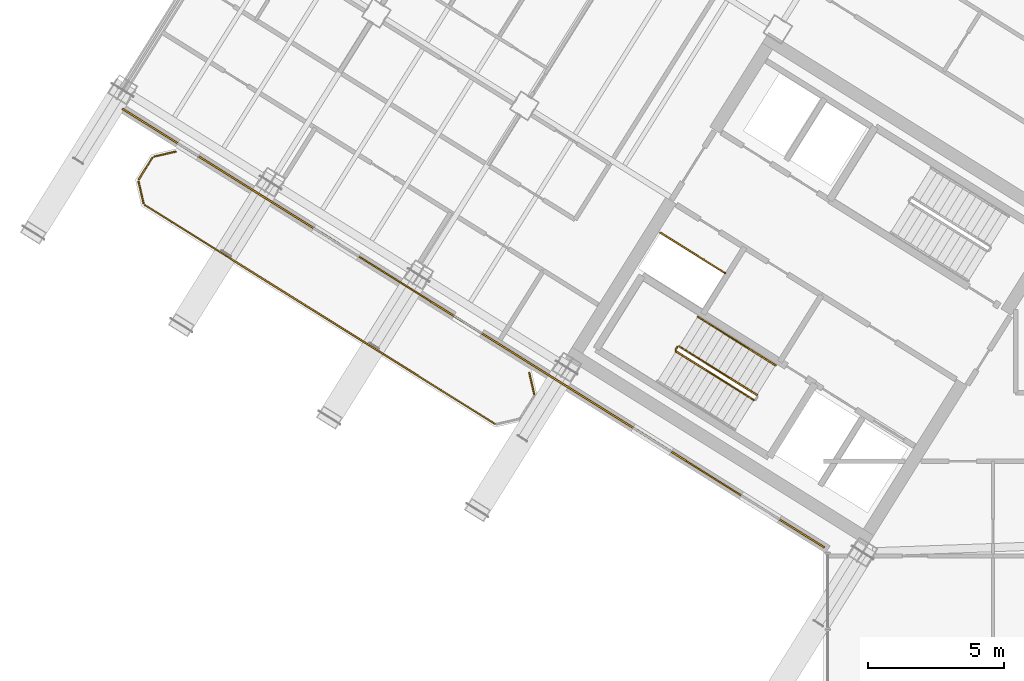
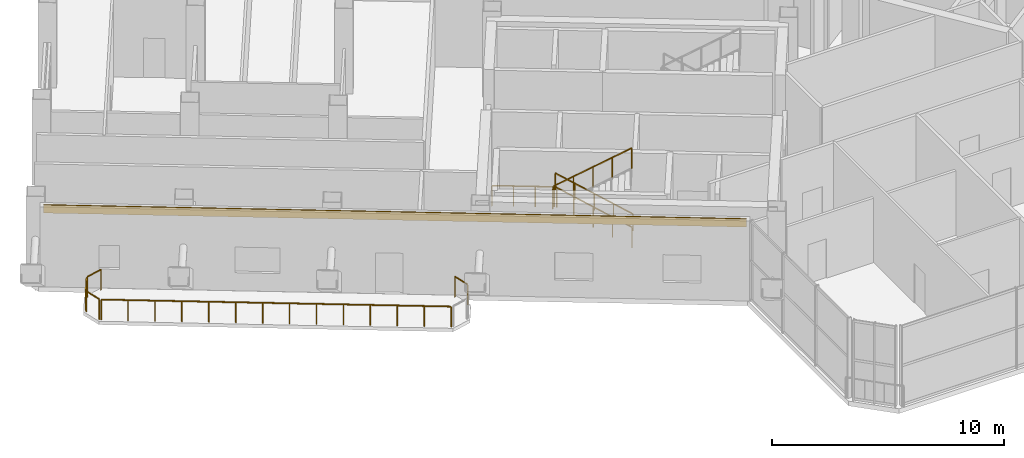
# One storey, part 29 of 34: 11 railings, 1 covering.
"""IFC4 building model written with IfcOpenShell, lengths in metres."""

from ifc_helpers import new_model, si_unit, direction, frame, origin, origin_2d, place, context, subcontext, project, spatial, rectangle, extrude, source, transform, mapped, material, layer, layer_set, type_object, element, save


model = new_model("IFC4")

# Units and contexts
model_context = context("Model", 3, precision=1e-05, world=origin(), true_north=direction((0.0, 1.0)))
body_context = subcontext(model_context, "Body", "Model", "MODEL_VIEW")
ifc_project = project(units=[si_unit("LENGTHUNIT", "METRE"), si_unit("AREAUNIT", "SQUARE_METRE"), si_unit("VOLUMEUNIT", "CUBIC_METRE"), si_unit("PLANEANGLEUNIT", "RADIAN"), si_unit("MASSUNIT", "GRAM", prefix="KILO")], contexts=[model_context])

# Site, building, storey
site_placement = place(None, origin())
site = spatial("IfcSite", under=ifc_project, at=site_placement, CompositionType="ELEMENT")
building_placement = place(site_placement, origin())
building = spatial("IfcBuilding", under=site, at=building_placement, Name="Tlacorven Tower", CompositionType="ELEMENT")
storey_placement = place(building_placement, frame((0.0, 0.0, 229.199951171875)))
storey = spatial("IfcBuildingStorey", under=building, at=storey_placement, Name="L58", CompositionType="ELEMENT", Elevation=229.199951171875)

# Railings
ifc_material_1 = material(Name="Aluminium and painted steel balustrade", Category="steel")
railing_type_1 = type_object("IfcRailingType", Name="RL-GRD-1100", PredefinedType="GUARDRAIL", material=ifc_material_1)
shared_shape_1 = source(origin(), body_context, "Body", "SweptSolid", [
    extrude(rectangle(XDim=0.048095703125, YDim=0.048095703125, at=origin_2d()), frame((0.0, 0.0, 1.076171875), z_axis=(-0.848091358275, 0.529850024081, 0.0), x_axis=(-0.529850024081, -0.848091358275, 0.0)), (0.0, 0.0, 1.0), 2.800048828125),
    extrude(rectangle(XDim=0.0419921875, YDim=0.0419921875, at=origin_2d()), origin(), (0.0, 0.0, 1.0), 1.052001953125),
    extrude(rectangle(XDim=0.0419921875, YDim=0.0419921875, at=origin_2d()), frame((-0.79150390625, 0.49462890625, 0.0)), (0.0, 0.0, 1.0), 1.052001953125),
    extrude(rectangle(XDim=0.0419921875, YDim=0.0419921875, at=origin_2d()), frame((-1.583251953125, 0.989013671875, 0.0)), (0.0, 0.0, 1.0), 1.052001953125),
    extrude(rectangle(XDim=0.0419921875, YDim=0.0419921875, at=origin_2d()), frame((-2.374755859375, 1.483642578125, 0.0)), (0.0, 0.0, 1.0), 1.052001953125),
])
railing_1_placement = place(storey_placement, frame((27.9912109375, 22.32080078125, 0.0)))
element("IfcRailing", 1, at=railing_1_placement, inside=storey, type_object=railing_type_1, Name="L58 Electrical Riser W Shaft Guard 1", PredefinedType="GUARDRAIL", context=body_context, shape_type="MappedRepresentation", body=[
    mapped(shared_shape_1, transform((0.0, 0.0, 0.0), scale=1.0)),
])
railing_type_2 = type_object("IfcRailingType", Name="RL-BAL-1100", PredefinedType="BALUSTRADE", material=ifc_material_1)
shared_shape_2 = source(origin(), body_context, "Body", "SweptSolid", [
    extrude(rectangle(XDim=0.048095703125, YDim=0.048095703125, at=origin_2d()), frame((0.0, 0.0, 1.076171875), z_axis=(0.225058334816, -0.974345290916, 0.0), x_axis=(0.974345290916, 0.225058334816, 0.0)), (0.0, 0.0, 1.0), 0.80712890625),
    extrude(rectangle(XDim=0.0419921875, YDim=0.0419921875, at=origin_2d()), origin(), (0.0, 0.0, 1.0), 1.052001953125),
    extrude(rectangle(XDim=0.0419921875, YDim=0.0419921875, at=origin_2d()), frame((0.181640625, -0.786376953125, 0.0)), (0.0, 0.0, 1.0), 1.052001953125),
])
railing_2_placement = place(storey_placement, frame((20.809814453125, 18.671142578125, 0.0)))
element("IfcRailing", 2, at=railing_2_placement, inside=storey, type_object=railing_type_2, Name="BAL-L58-W-OUT Guard Railing 1", PredefinedType="BALUSTRADE", context=body_context, shape_type="MappedRepresentation", body=[
    mapped(shared_shape_2, transform((0.0, 0.0, 0.0), scale=1.0)),
])
shared_shape_3 = source(origin(), body_context, "Body", "SweptSolid", [
    extrude(rectangle(XDim=0.048095703125, YDim=0.048095703125, at=origin_2d()), frame((0.0, 0.0, 1.076171875), z_axis=(-0.225058334816, 0.974345290916, 0.0), x_axis=(-0.974345290916, -0.225058334816, 0.0)), (0.0, 0.0, 1.0), 0.80712890625),
    extrude(rectangle(XDim=0.0419921875, YDim=0.0419921875, at=origin_2d()), origin(), (0.0, 0.0, 1.0), 1.052001953125),
    extrude(rectangle(XDim=0.0419921875, YDim=0.0419921875, at=origin_2d()), frame((-0.181640625, 0.786376953125, 0.0)), (0.0, 0.0, 1.0), 1.052001953125),
])
railing_3_placement = place(storey_placement, frame((6.66650390625, 24.88623046875, 0.0)))
element("IfcRailing", 3, at=railing_3_placement, inside=storey, type_object=railing_type_2, Name="BAL-L58-W-OUT Guard Railing 5", PredefinedType="BALUSTRADE", context=body_context, shape_type="MappedRepresentation", body=[
    mapped(shared_shape_3, transform((0.0, 0.0, 0.0), scale=1.0)),
])
shared_shape_4 = source(origin(), body_context, "Body", "SweptSolid", [
    extrude(rectangle(XDim=0.048095703125, YDim=0.048095703125, at=origin_2d()), frame((0.0, 0.0, 1.076171875), z_axis=(0.974411586182, 0.224771129628, 0.0), x_axis=(-0.224771129628, 0.974411586182, 0.0)), (0.0, 0.0, 1.0), 0.80712890625),
    extrude(rectangle(XDim=0.0419921875, YDim=0.0419921875, at=origin_2d()), origin(), (0.0, 0.0, 1.0), 1.052001953125),
    extrude(rectangle(XDim=0.0419921875, YDim=0.0419921875, at=origin_2d()), frame((0.786376953125, 0.181396484375, 0.0)), (0.0, 0.0, 1.0), 1.052001953125),
])
railing_4_placement = place(storey_placement, frame((7.05859375, 26.591064453125, 0.0)))
element("IfcRailing", 4, at=railing_4_placement, inside=storey, type_object=railing_type_2, Name="BAL-L58-W-OUT Guard Railing 7", PredefinedType="BALUSTRADE", context=body_context, shape_type="MappedRepresentation", body=[
    mapped(shared_shape_4, transform((0.0, 0.0, 0.0), scale=1.0)),
])
shared_shape_5 = source(origin(), body_context, "Body", "SweptSolid", [
    extrude(rectangle(XDim=0.048095703125, YDim=0.048095703125, at=origin_2d()), frame((0.0, 0.0, 1.076171875), z_axis=(0.529998940003, 0.847998304005, 0.0), x_axis=(-0.847998304005, 0.529998940003, 0.0)), (0.0, 0.0, 1.0), 0.912109375),
    extrude(rectangle(XDim=0.0419921875, YDim=0.0419921875, at=origin_2d()), origin(), (0.0, 0.0, 1.0), 1.052001953125),
    extrude(rectangle(XDim=0.0419921875, YDim=0.0419921875, at=origin_2d()), frame((0.4833984375, 0.7734375, 0.0)), (0.0, 0.0, 1.0), 1.052001953125),
])
railing_5_placement = place(storey_placement, frame((6.5, 25.763916015625, 0.0)))
element("IfcRailing", 5, at=railing_5_placement, inside=storey, type_object=railing_type_2, Name="BAL-L58-W-OUT Guard Railing 6", PredefinedType="BALUSTRADE", context=body_context, shape_type="MappedRepresentation", body=[
    mapped(shared_shape_5, transform((0.0, 0.0, 0.0), scale=1.0)),
])

# Covering
ifc_material_2 = material(Name="Precast concrete C45/55", Category="concrete")
ifc_layer = layer(ifc_material_2, 0.06005859375)
ifc_layer_set = layer_set([ifc_layer], Name="Precast concrete C45/55")
covering_type = type_object("IfcCoveringType", Name="CV-CLD-TERC", PredefinedType="CLADDING", material=ifc_layer_set)
shared_shape_6 = source(origin(), body_context, "Body", "SweptSolid", [
    extrude(rectangle(XDim=30.35205078125, YDim=0.06005859375, at=origin_2d()), origin(), (0.0, 0.0, 1.0), 0.419921875),
])
covering_placement = place(storey_placement, frame((18.7626953125, 20.3046875, 3.800048828125), z_axis=(0.0, 0.0, 1.0), x_axis=(-0.848048152806, 0.529919173576, 0.0)))
element("IfcCovering", 6, at=covering_placement, inside=storey, type_object=covering_type, Name="L58 Masonry-Frame Spandrel Cladding 1", PredefinedType="CLADDING", context=body_context, shape_type="MappedRepresentation", body=[
    mapped(shared_shape_6, transform((0.0, 0.0, 0.0), scale=1.0)),
])

# Railings
shared_shape_7 = source(origin(), body_context, "Body", "SweptSolid", [
    extrude(rectangle(XDim=0.048095703125, YDim=0.048095703125, at=origin_2d()), frame((0.0, 0.0, 1.076171875), z_axis=(-0.848051830527, 0.529913287944, 0.0), x_axis=(-0.529913287944, -0.848051830527, 0.0)), (0.0, 0.0, 1.0), 15.1171875),
    extrude(rectangle(XDim=0.0419921875, YDim=0.0419921875, at=origin_2d()), origin(), (0.0, 0.0, 1.0), 1.052001953125),
    extrude(rectangle(XDim=0.0419921875, YDim=0.0419921875, at=origin_2d()), frame((-0.986083984375, 0.6162109375, 0.0)), (0.0, 0.0, 1.0), 1.052001953125),
    extrude(rectangle(XDim=0.0419921875, YDim=0.0419921875, at=origin_2d()), frame((-1.972412109375, 1.232421875, 0.0)), (0.0, 0.0, 1.0), 1.052001953125),
    extrude(rectangle(XDim=0.0419921875, YDim=0.0419921875, at=origin_2d()), frame((-2.95849609375, 1.8486328125, 0.0)), (0.0, 0.0, 1.0), 1.052001953125),
    extrude(rectangle(XDim=0.0419921875, YDim=0.0419921875, at=origin_2d()), frame((-3.944580078125, 2.46484375, 0.0)), (0.0, 0.0, 1.0), 1.052001953125),
    extrude(rectangle(XDim=0.0419921875, YDim=0.0419921875, at=origin_2d()), frame((-4.930908203125, 3.0810546875, 0.0)), (0.0, 0.0, 1.0), 1.052001953125),
    extrude(rectangle(XDim=0.0419921875, YDim=0.0419921875, at=origin_2d()), frame((-5.9169921875, 3.697265625, 0.0)), (0.0, 0.0, 1.0), 1.052001953125),
    extrude(rectangle(XDim=0.0419921875, YDim=0.0419921875, at=origin_2d()), frame((-6.903076171875, 4.3134765625, 0.0)), (0.0, 0.0, 1.0), 1.052001953125),
    extrude(rectangle(XDim=0.0419921875, YDim=0.0419921875, at=origin_2d()), frame((-7.88916015625, 4.9296875, 0.0)), (0.0, 0.0, 1.0), 1.052001953125),
    extrude(rectangle(XDim=0.0419921875, YDim=0.0419921875, at=origin_2d()), frame((-8.87548828125, 5.5458984375, 0.0)), (0.0, 0.0, 1.0), 1.052001953125),
    extrude(rectangle(XDim=0.0419921875, YDim=0.0419921875, at=origin_2d()), frame((-9.861572265625, 6.162109375, 0.0)), (0.0, 0.0, 1.0), 1.052001953125),
    extrude(rectangle(XDim=0.0419921875, YDim=0.0419921875, at=origin_2d()), frame((-10.84765625, 6.7783203125, 0.0)), (0.0, 0.0, 1.0), 1.052001953125),
    extrude(rectangle(XDim=0.0419921875, YDim=0.0419921875, at=origin_2d()), frame((-11.833984375, 7.39453125, 0.0)), (0.0, 0.0, 1.0), 1.052001953125),
    extrude(rectangle(XDim=0.0419921875, YDim=0.0419921875, at=origin_2d()), frame((-12.820068359375, 8.0107421875, 0.0)), (0.0, 0.0, 1.0), 1.052001953125),
])
railing_6_placement = place(storey_placement, frame((19.5400390625, 16.80029296875, 0.0)))
element("IfcRailing", 7, at=railing_6_placement, inside=storey, type_object=railing_type_2, Name="BAL-L58-W-OUT Guard Railing 4", PredefinedType="BALUSTRADE", context=body_context, shape_type="MappedRepresentation", body=[
    mapped(shared_shape_7, transform((0.0, 0.0, 0.0), scale=1.0)),
])
shared_shape_8 = source(origin(), body_context, "Body", "SweptSolid", [
    extrude(rectangle(XDim=0.048095703125, YDim=0.048095703125, at=origin_2d()), frame((0.0, 0.0, 1.076171875), z_axis=(-0.530546985787, -0.847655529016, 0.0), x_axis=(0.847655529016, -0.530546985787, 0.0)), (0.0, 0.0, 1.0), 0.1201171875),
    extrude(rectangle(XDim=0.0419921875, YDim=0.0419921875, at=origin_2d()), origin(), (0.0, 0.0, 1.0), 1.052001953125),
    extrude(rectangle(XDim=0.0419921875, YDim=0.0419921875, at=origin_2d()), frame((-0.063720703125, -0.101806640625, 0.0)), (0.0, 0.0, 1.0), 1.052001953125),
])
railing_7_placement = place(storey_placement, frame((26.242431640625, 19.616455078125, 2.25)))
element("IfcRailing", 8, at=railing_7_placement, inside=storey, type_object=railing_type_1, Name="L58 ST-W1 stair guard 2", PredefinedType="GUARDRAIL", context=body_context, shape_type="MappedRepresentation", body=[
    mapped(shared_shape_8, transform((0.0, 0.0, 0.0), scale=1.0)),
])
shared_shape_9 = source(origin(), body_context, "Body", "SweptSolid", [
    extrude(rectangle(XDim=0.048095703125, YDim=0.048095703125, at=origin_2d()), frame((0.0, 0.0, 1.076171875), z_axis=(-0.721354668439, 0.45076168254, 0.525795918465), x_axis=(-0.529927092104, -0.84804320471, 0.0)), (0.0, 0.0, 1.0), 3.949951171875),
    extrude(rectangle(XDim=0.0419921875, YDim=0.0419921875, at=origin_2d()), origin(), (0.0, 0.0, 1.0), 1.052001953125),
    extrude(rectangle(XDim=0.0419921875, YDim=0.0419921875, at=origin_2d()), frame((-0.71240234375, 0.445068359375, 0.519287109375)), (0.0, 0.0, 1.0), 1.052001953125),
    extrude(rectangle(XDim=0.0419921875, YDim=0.0419921875, at=origin_2d()), frame((-1.4248046875, 0.89013671875, 1.03857421875)), (0.0, 0.0, 1.0), 1.052001953125),
    extrude(rectangle(XDim=0.0419921875, YDim=0.0419921875, at=origin_2d()), frame((-2.136962890625, 1.33544921875, 1.5576171875)), (0.0, 0.0, 1.0), 1.052001953125),
    extrude(rectangle(XDim=0.0419921875, YDim=0.0419921875, at=origin_2d()), frame((-2.849365234375, 1.780517578125, 2.076904296875)), (0.0, 0.0, 1.0), 1.052001953125),
])
railing_8_placement = place(storey_placement, frame((29.16064453125, 17.851806640625, 0.173095703125)))
element("IfcRailing", 9, at=railing_8_placement, inside=storey, type_object=railing_type_1, Name="L58 ST-W1 stair guard 1", PredefinedType="GUARDRAIL", context=body_context, shape_type="MappedRepresentation", body=[
    mapped(shared_shape_9, transform((0.0, 0.0, 0.0), scale=1.0)),
])
shared_shape_10 = source(origin(), body_context, "Body", "SweptSolid", [
    extrude(rectangle(XDim=0.048095703125, YDim=0.048095703125, at=origin_2d()), frame((0.0, 0.0, 1.076171875), z_axis=(0.721384312238, -0.450741585774, 0.525772476372), x_axis=(0.52989443915, 0.848063608085, 0.0)), (0.0, 0.0, 1.0), 3.9501953125),
    extrude(rectangle(XDim=0.0419921875, YDim=0.0419921875, at=origin_2d()), origin(), (0.0, 0.0, 1.0), 1.052001953125),
    extrude(rectangle(XDim=0.0419921875, YDim=0.0419921875, at=origin_2d()), frame((0.71240234375, -0.445068359375, 0.519287109375)), (0.0, 0.0, 1.0), 1.052001953125),
    extrude(rectangle(XDim=0.0419921875, YDim=0.0419921875, at=origin_2d()), frame((1.4248046875, -0.89013671875, 1.03857421875)), (0.0, 0.0, 1.0), 1.052001953125),
    extrude(rectangle(XDim=0.0419921875, YDim=0.0419921875, at=origin_2d()), frame((2.13720703125, -1.33544921875, 1.5576171875)), (0.0, 0.0, 1.0), 1.052001953125),
    extrude(rectangle(XDim=0.0419921875, YDim=0.0419921875, at=origin_2d()), frame((2.849609375, -1.780517578125, 2.076904296875)), (0.0, 0.0, 1.0), 1.052001953125),
])
railing_9_placement = place(storey_placement, frame((26.194580078125, 19.44580078125, 2.423095703125)))
element("IfcRailing", 10, at=railing_9_placement, inside=storey, type_object=railing_type_1, Name="L58 ST-W1 stair guard 3", PredefinedType="GUARDRAIL", context=body_context, shape_type="MappedRepresentation", body=[
    mapped(shared_shape_10, transform((0.0, 0.0, 0.0), scale=1.0)),
])
railing_type_3 = type_object("IfcRailingType", Name="RL-HND-0900", PredefinedType="HANDRAIL", material=ifc_material_1)
shared_shape_11 = source(origin(), body_context, "Body", "SweptSolid", [
    extrude(rectangle(XDim=0.048095703125, YDim=0.048095703125, at=origin_2d()), frame((0.0, 0.0, 0.8759765625), z_axis=(-0.721340775611, 0.4507761838, 0.52580254617), x_axis=(-0.529946692594, -0.848030956397, 0.0)), (0.0, 0.0, 1.0), 1.97509765625),
    extrude(rectangle(XDim=0.0419921875, YDim=0.0419921875, at=origin_2d()), origin(), (0.0, 0.0, 1.0), 0.851806640625),
    extrude(rectangle(XDim=0.0419921875, YDim=0.0419921875, at=origin_2d()), frame((-0.71240234375, 0.4453125, 0.519287109375)), (0.0, 0.0, 1.0), 0.851806640625),
    extrude(rectangle(XDim=0.0419921875, YDim=0.0419921875, at=origin_2d()), frame((-1.4248046875, 0.890380859375, 1.03857421875)), (0.0, 0.0, 1.0), 0.851806640625),
])
railing_10_placement = place(storey_placement, frame((29.839111328125, 18.937255859375, 0.173095703125)))
element("IfcRailing", 11, at=railing_10_placement, inside=storey, type_object=railing_type_3, Name="L58 ST-W1 stair handrail 1", PredefinedType="HANDRAIL", context=body_context, shape_type="MappedRepresentation", body=[
    mapped(shared_shape_11, transform((0.0, 0.0, 0.0), scale=1.0)),
])
shared_shape_12 = source(origin(), body_context, "Body", "SweptSolid", [
    extrude(rectangle(XDim=0.048095703125, YDim=0.048095703125, at=origin_2d()), frame((0.0, 0.0, 0.8759765625), z_axis=(-0.721427851237, 0.45070698177, 0.525742400842), x_axis=(-0.52984217967, -0.848096259066, 0.0)), (0.0, 0.0, 1.0), 1.97509765625),
    extrude(rectangle(XDim=0.0419921875, YDim=0.0419921875, at=origin_2d()), origin(), (0.0, 0.0, 1.0), 0.851806640625),
    extrude(rectangle(XDim=0.0419921875, YDim=0.0419921875, at=origin_2d()), frame((-0.71240234375, 0.445068359375, 0.51904296875)), (0.0, 0.0, 1.0), 0.851806640625),
    extrude(rectangle(XDim=0.0419921875, YDim=0.0419921875, at=origin_2d()), frame((-1.4248046875, 0.89013671875, 1.038330078125)), (0.0, 0.0, 1.0), 0.851806640625),
])
railing_11_placement = place(storey_placement, frame((28.414306640625, 19.82763671875, 1.211669921875)))
element("IfcRailing", 12, at=railing_11_placement, inside=storey, type_object=railing_type_3, Name="L58 ST-W1 stair handrail 2", PredefinedType="HANDRAIL", context=body_context, shape_type="MappedRepresentation", body=[
    mapped(shared_shape_12, transform((0.0, 0.0, 0.0), scale=1.0)),
])

save(model, "model.ifc")
